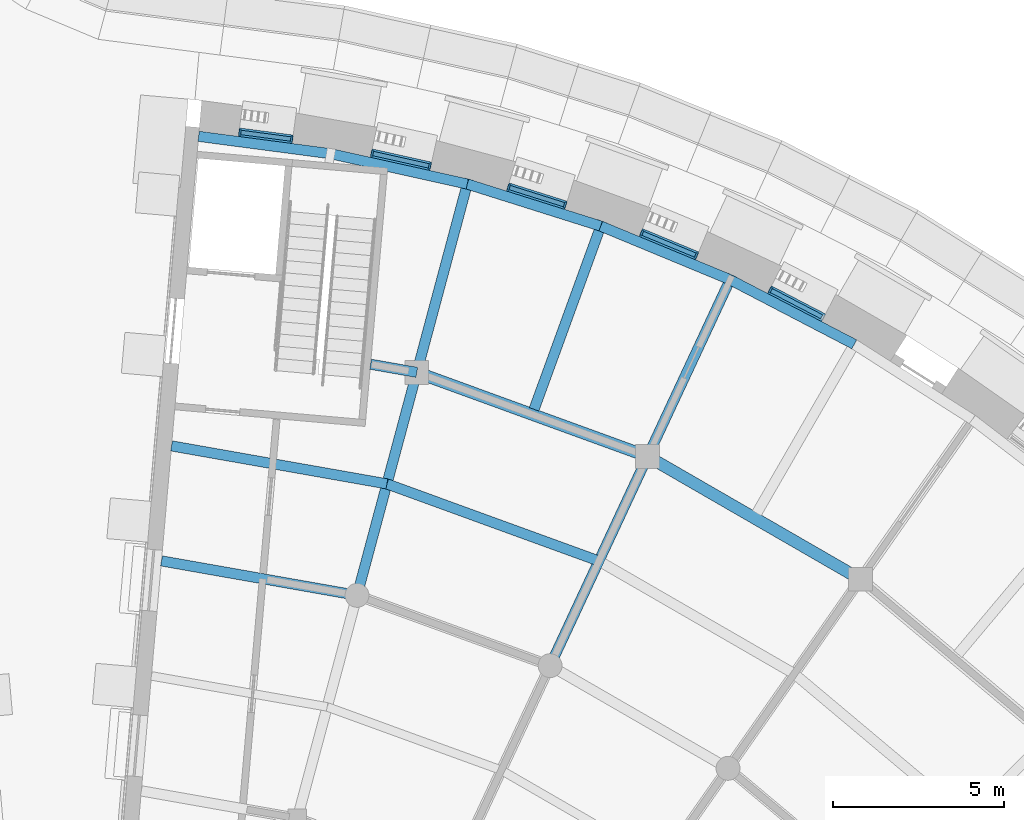
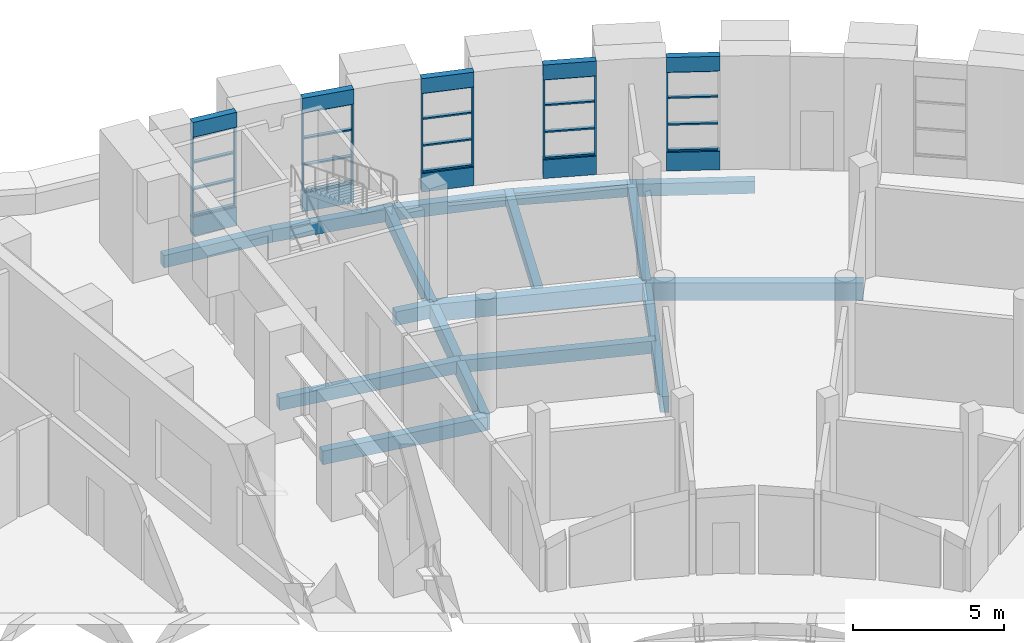
# One storey, part 27 of 85: 29 members, 26 beams, 5 elements without a shape of their own.
"""IFC4 building model written with IfcOpenShell, lengths in metres."""

from ifc_helpers import new_model, si_unit, direction, frame, origin, origin_2d, place, context, subcontext, project, spatial, rectangle, extrude, material, layer, layer_set, material_profile, profile_set, type_object, element, aggregate, save


model = new_model("IFC4")

# Units and contexts
model_context = context("Model", 3, precision=1e-05, world=origin(), true_north=direction((0.0, 1.0)))
body_context = subcontext(model_context, "Body", "Model", "MODEL_VIEW")
ifc_project = project(units=[si_unit("LENGTHUNIT", "METRE"), si_unit("AREAUNIT", "SQUARE_METRE"), si_unit("VOLUMEUNIT", "CUBIC_METRE"), si_unit("PLANEANGLEUNIT", "RADIAN"), si_unit("MASSUNIT", "GRAM", prefix="KILO")], contexts=[model_context])

# Site, building, storey
site_placement = place(None, origin())
site = spatial("IfcSite", under=ifc_project, at=site_placement, CompositionType="ELEMENT")
building_placement = place(site_placement, origin())
building = spatial("IfcBuilding", under=site, at=building_placement, Name="Volute Hill Aquarium", CompositionType="ELEMENT")
storey_placement = place(building_placement, origin())
storey = spatial("IfcBuildingStorey", under=building, at=storey_placement, Name="L01", CompositionType="ELEMENT", Elevation=0.0)

# Beams
ifc_material_1 = material(Name="Concrete C35/45", Category="concrete")
ifc_material_profile_1 = material_profile(ifc_material_1, rectangle(XDim=0.300048828125, YDim=0.550048828125, at=origin_2d()), Name="RC beam 300x550")
ifc_profile_set_1 = profile_set([ifc_material_profile_1], Name="Concrete C35/45")
beam_type_1 = type_object("IfcBeamType", Name="Beam 300x550 C35/45", PredefinedType="BEAM", material=ifc_profile_set_1)
for number, where, z_axis, x_axis, name in (
    (1, (17.448974609375, 37.419189453125, -0.56494140625), (0.422609588136, 0.906311831554, 0.0), (-0.906311831554, 0.422609588136, 0.0), "bm/S5/L01/rad3.12"),
    (2, (10.68603515625, 39.880615234375, -0.56494140625), (0.258815877772, 0.965926674967, 0.0), (-0.965926674967, 0.258815877772, 0.0), "bm/S5/L01/rad4.16"),
):
    element("IfcBeam", number, at=place(storey_placement, frame(where, z_axis=z_axis, x_axis=x_axis)), inside=storey, type_object=beam_type_1, Name=name, PredefinedType="BEAM", context=body_context, shape_type="SweptSolid", body=[
        extrude(rectangle(XDim=0.300048828125, YDim=0.550048828125, at=origin_2d()), origin(), (0.0, 0.0, 1.0), 5.862548828125),
    ])
beam_1_placement = place(storey_placement, frame((8.935791015625, 33.3486328125, -0.56494140625), z_axis=(-0.984812696983, 0.173620136684, 0.0), x_axis=(-0.173620136684, -0.984812696983, 0.0)))
element("IfcBeam", 3, at=beam_1_placement, inside=storey, type_object=beam_type_1, Name="bm/S5/L01/ring2.26", PredefinedType="BEAM", context=body_context, shape_type="SweptSolid", body=[
    extrude(rectangle(XDim=0.300048828125, YDim=0.550048828125, at=origin_2d()), origin(), (0.0, 0.0, 1.0), 5.8173828125),
])
beam_2_placement = place(storey_placement, frame((10.68603515625, 39.880615234375, -0.56494140625), z_axis=(-0.984805002764, 0.173663774378, 0.0), x_axis=(-0.173663774378, -0.984805002764, 0.0)))
element("IfcBeam", 4, at=beam_2_placement, inside=storey, type_object=beam_type_1, Name="bm/S5/L01/ring3.31", PredefinedType="BEAM", context=body_context, shape_type="SweptSolid", body=[
    extrude(rectangle(XDim=0.300048828125, YDim=0.550048828125, at=origin_2d()), origin(), (0.0, 0.0, 1.0), 1.375),
])
ifc_material_2 = material(Name="Concrete C35/45", Category="concrete")
ifc_material_profile_2 = material_profile(ifc_material_2, rectangle(XDim=0.300048828125, YDim=0.64990234375, at=origin_2d()), Name="RC beam 300x650")
ifc_profile_set_2 = profile_set([ifc_material_profile_2], Name="Concrete C35/45")
beam_type_2 = type_object("IfcBeamType", Name="Beam 300x650 C35/45", PredefinedType="BEAM", material=ifc_profile_set_2)
beam_3_placement = place(storey_placement, frame((14.5908203125, 31.290283203125, -0.614990234375), z_axis=(0.422642356692, 0.906296550986, 0.0), x_axis=(-0.906296550986, 0.422642356692, 0.0)))
element("IfcBeam", 5, at=beam_3_placement, inside=storey, type_object=beam_type_2, Name="bm/S5/L01/rad3.11", PredefinedType="BEAM", context=body_context, shape_type="SweptSolid", body=[
    extrude(rectangle(XDim=0.300048828125, YDim=0.64990234375, at=origin_2d()), origin(), (0.0, 0.0, 1.0), 6.7626953125),
])
beam_4_placement = place(storey_placement, frame((8.935791015625, 33.3486328125, -0.614990234375), z_axis=(0.258819697111, 0.965925651584, 0.0), x_axis=(-0.965925651584, 0.258819697111, 0.0)))
element("IfcBeam", 6, at=beam_4_placement, inside=storey, type_object=beam_type_2, Name="bm/S5/L01/rad4.15", PredefinedType="BEAM", context=body_context, shape_type="SweptSolid", body=[
    extrude(rectangle(XDim=0.300048828125, YDim=0.64990234375, at=origin_2d()), origin(), (0.0, 0.0, 1.0), 6.762451171875),
])
ifc_material_3 = material(Name="Concrete C35/45", Category="concrete")
ifc_material_profile_3 = material_profile(ifc_material_3, rectangle(XDim=0.35009765625, YDim=0.699951171875, at=origin_2d()), Name="RC beam 350x700")
ifc_profile_set_3 = profile_set([ifc_material_profile_3], Name="Concrete C35/45")
beam_type_3 = type_object("IfcBeamType", Name="Beam 350x700 C35/45", PredefinedType="BEAM", material=ifc_profile_set_3)
beam_5_placement = place(storey_placement, frame((23.681396484375, 33.82080078125, -0.639892578125), z_axis=(-0.866019493664, 0.50001023649, 0.0), x_axis=(-0.50001023649, -0.866019493664, 0.0)))
element("IfcBeam", 7, at=beam_5_placement, inside=storey, type_object=beam_type_3, Name="bm/S5/L01/ring3.29", PredefinedType="BEAM", context=body_context, shape_type="SweptSolid", body=[
    extrude(rectangle(XDim=0.35009765625, YDim=0.699951171875, at=origin_2d()), origin(), (0.0, 0.0, 1.0), 7.196533203125),
])
beam_6_placement = place(storey_placement, frame((17.448974609375, 37.419189453125, -0.639892578125), z_axis=(-0.939696321717, 0.34200997493, 0.0), x_axis=(-0.34200997493, -0.939696321717, 0.0)))
element("IfcBeam", 8, at=beam_6_placement, inside=storey, type_object=beam_type_3, Name="bm/S5/L01/ring3.30", PredefinedType="BEAM", context=body_context, shape_type="SweptSolid", body=[
    extrude(rectangle(XDim=0.35009765625, YDim=0.699951171875, at=origin_2d()), origin(), (0.0, 0.0, 1.0), 7.197021484375),
])

# Curtain wall, member
ifc_material_4 = material(Name="Aluminium", Category="aluminium")
ifc_layer_1 = layer(ifc_material_4, 0.25)
ifc_layer_set_1 = layer_set([ifc_layer_1], Name="Curtain wall niche S5 module 1786")
curtain_wall_type_1 = type_object("IfcCurtainWallType", Name="Curtain wall niche S5 module 1786", PredefinedType="NOTDEFINED", material=ifc_layer_set_1)
curtain_wall_1_placement = place(storey_placement, origin())
curtain_wall_1 = element("IfcCurtainWall", 9, at=curtain_wall_1_placement, inside=storey, type_object=curtain_wall_type_1, Name="Curtain wall CW S5 L01 6", PredefinedType="NOTDEFINED")
ifc_material_5 = material(Name="Aluminium", Category="aluminium")
ifc_material_profile_4 = material_profile(ifc_material_5, rectangle(XDim=0.159912109375, YDim=0.06005859375, at=origin_2d()), Name="Curtain wall mullion S5 60x160")
ifc_profile_set_4 = profile_set([ifc_material_profile_4], Name="Aluminium")
member_type_1 = type_object("IfcMemberType", Name="Curtain wall mullion S5 60x160", PredefinedType="MULLION", material=ifc_profile_set_4)
member_1_placement = place(storey_placement, frame((21.04296875, 42.291748046875, 0.75), z_axis=(0.0, 0.0, 1.0), x_axis=(-0.461755077763, -0.887007467928, 0.0)))
member_1 = element("IfcMember", 10, at=member_1_placement, type_object=member_type_1, Name="CW mullion 2", PredefinedType="MULLION", context=body_context, shape_type="SweptSolid", body=[
    extrude(rectangle(XDim=0.159912109375, YDim=0.06005859375, at=origin_2d()), origin(), (0.0, 0.0, 1.0), 3.25),
])

# Curtain wall, members
curtain_wall_2_placement = place(storey_placement, origin())
curtain_wall_2 = element("IfcCurtainWall", 11, at=curtain_wall_2_placement, inside=storey, type_object=curtain_wall_type_1, Name="Curtain wall CW S5 L01 7", PredefinedType="NOTDEFINED")
member_2_placement = place(storey_placement, frame((18.87109375, 43.304443359375, 0.75), z_axis=(0.0, 0.0, 1.0), x_axis=(-0.382686313983, -0.923878338901, 0.0)))
member_2 = element("IfcMember", 12, at=member_2_placement, type_object=member_type_1, Name="CW mullion 1", PredefinedType="MULLION", context=body_context, shape_type="SweptSolid", body=[
    extrude(rectangle(XDim=0.159912109375, YDim=0.06005859375, at=origin_2d()), origin(), (0.0, 0.0, 1.0), 3.25),
])
member_3_placement = place(storey_placement, frame((17.27685546875, 43.96484375, 0.75), z_axis=(0.0, 0.0, 1.0), x_axis=(-0.382686313983, -0.923878338901, 0.0)))
member_3 = element("IfcMember", 13, at=member_3_placement, type_object=member_type_1, Name="CW mullion 2", PredefinedType="MULLION", context=body_context, shape_type="SweptSolid", body=[
    extrude(rectangle(XDim=0.159912109375, YDim=0.06005859375, at=origin_2d()), origin(), (0.0, 0.0, 1.0), 3.25),
])

curtain_wall_3_placement = place(storey_placement, origin())
curtain_wall_3 = element("IfcCurtainWall", 14, at=curtain_wall_3_placement, inside=storey, type_object=curtain_wall_type_1, Name="Curtain wall CW S5 L01 8", PredefinedType="NOTDEFINED")
member_4_placement = place(storey_placement, frame((15.025146484375, 44.784423828125, 0.75), z_axis=(0.0, 0.0, 1.0), x_axis=(-0.300703569139, -0.953717653977, 0.0)))
member_4 = element("IfcMember", 15, at=member_4_placement, type_object=member_type_1, Name="CW mullion 1", PredefinedType="MULLION", context=body_context, shape_type="SweptSolid", body=[
    extrude(rectangle(XDim=0.159912109375, YDim=0.06005859375, at=origin_2d()), origin(), (0.0, 0.0, 1.0), 3.25),
])
member_5_placement = place(storey_placement, frame((13.37939453125, 45.30322265625, 0.75), z_axis=(0.0, 0.0, 1.0), x_axis=(-0.300703569139, -0.953717653977, 0.0)))
member_5 = element("IfcMember", 16, at=member_5_placement, type_object=member_type_1, Name="CW mullion 2", PredefinedType="MULLION", context=body_context, shape_type="SweptSolid", body=[
    extrude(rectangle(XDim=0.159912109375, YDim=0.06005859375, at=origin_2d()), origin(), (0.0, 0.0, 1.0), 3.25),
])

curtain_wall_4_placement = place(storey_placement, origin())
curtain_wall_4 = element("IfcCurtainWall", 17, at=curtain_wall_4_placement, inside=storey, type_object=curtain_wall_type_1, Name="Curtain wall CW S5 L01 9", PredefinedType="NOTDEFINED")
member_6_placement = place(storey_placement, frame((11.064697265625, 45.92333984375, 0.75), z_axis=(0.0, 0.0, 1.0), x_axis=(-0.216422253758, -0.976299855617, 0.0)))
member_6 = element("IfcMember", 18, at=member_6_placement, type_object=member_type_1, Name="CW mullion 1", PredefinedType="MULLION", context=body_context, shape_type="SweptSolid", body=[
    extrude(rectangle(XDim=0.159912109375, YDim=0.06005859375, at=origin_2d()), origin(), (0.0, 0.0, 1.0), 3.25),
])
member_7_placement = place(storey_placement, frame((9.3798828125, 46.296875, 0.75), z_axis=(0.0, 0.0, 1.0), x_axis=(-0.216422253758, -0.976299855617, 0.0)))
member_7 = element("IfcMember", 19, at=member_7_placement, type_object=member_type_1, Name="CW mullion 2", PredefinedType="MULLION", context=body_context, shape_type="SweptSolid", body=[
    extrude(rectangle(XDim=0.159912109375, YDim=0.06005859375, at=origin_2d()), origin(), (0.0, 0.0, 1.0), 3.25),
])

ifc_material_6 = material(Name="Aluminium", Category="aluminium")
ifc_layer_2 = layer(ifc_material_6, 0.25)
ifc_layer_set_2 = layer_set([ifc_layer_2], Name="Curtain wall niche S5 module 1585")
curtain_wall_type_2 = type_object("IfcCurtainWallType", Name="Curtain wall niche S5 module 1585", PredefinedType="NOTDEFINED", material=ifc_layer_set_2)
curtain_wall_5_placement = place(storey_placement, origin())
curtain_wall_5 = element("IfcCurtainWall", 20, at=curtain_wall_5_placement, inside=storey, type_object=curtain_wall_type_2, Name="Curtain wall CW S5 L01 10", PredefinedType="NOTDEFINED")
member_8_placement = place(storey_placement, frame((7.020263671875, 46.712890625, 0.75), z_axis=(0.0, 0.0, 1.0), x_axis=(-0.130539029372, -0.991443171246, 0.0)))
member_8 = element("IfcMember", 21, at=member_8_placement, type_object=member_type_1, Name="CW mullion 1", PredefinedType="MULLION", context=body_context, shape_type="SweptSolid", body=[
    extrude(rectangle(XDim=0.159912109375, YDim=0.06005859375, at=origin_2d()), origin(), (0.0, 0.0, 1.0), 3.25),
])
member_9_placement = place(storey_placement, frame((5.5078125, 46.912109375, 0.75), z_axis=(0.0, 0.0, 1.0), x_axis=(-0.130539029372, -0.991443171246, 0.0)))
member_9 = element("IfcMember", 22, at=member_9_placement, type_object=member_type_1, Name="CW mullion 2", PredefinedType="MULLION", context=body_context, shape_type="SweptSolid", body=[
    extrude(rectangle(XDim=0.159912109375, YDim=0.06005859375, at=origin_2d()), origin(), (0.0, 0.0, 1.0), 3.25),
])

# Member
ifc_material_7 = material(Name="Aluminium", Category="aluminium")
ifc_material_profile_5 = material_profile(ifc_material_7, rectangle(XDim=0.1298828125, YDim=0.06005859375, at=origin_2d()), Name="Curtain wall transom S5 60x130")
ifc_profile_set_5 = profile_set([ifc_material_profile_5], Name="Aluminium")
member_type_2 = type_object("IfcMemberType", Name="Curtain wall transom S5 60x130", PredefinedType="USERDEFINED", material=ifc_profile_set_5)
member_10_placement = place(storey_placement, frame((22.546875, 41.5087890625, 0.780029296875), z_axis=(-0.887007904622, 0.461754238896, 0.0), x_axis=(-0.461754238896, -0.887007904622, 0.0)))
member_10 = element("IfcMember", 23, at=member_10_placement, type_object=member_type_2, Name="CW transom 1.1", ObjectType="TRANSOM", PredefinedType="USERDEFINED", context=body_context, shape_type="SweptSolid", body=[
    extrude(rectangle(XDim=0.1298828125, YDim=0.06005859375, at=origin_2d()), origin(), (0.0, 0.0, 1.0), 1.66552734375),
])

member_11_placement = place(storey_placement, frame((22.546875, 41.5087890625, 1.833251953125), z_axis=(-0.887007904622, 0.461754238896, 0.0), x_axis=(-0.461754238896, -0.887007904622, 0.0)))
member_11 = element("IfcMember", 24, at=member_11_placement, type_object=member_type_2, Name="CW transom 1.2", ObjectType="TRANSOM", PredefinedType="USERDEFINED", context=body_context, shape_type="SweptSolid", body=[
    extrude(rectangle(XDim=0.1298828125, YDim=0.06005859375, at=origin_2d()), origin(), (0.0, 0.0, 1.0), 1.66552734375),
])

member_12_placement = place(storey_placement, frame((22.546875, 41.5087890625, 2.916748046875), z_axis=(-0.887007904622, 0.461754238896, 0.0), x_axis=(-0.461754238896, -0.887007904622, 0.0)))
member_12 = element("IfcMember", 25, at=member_12_placement, type_object=member_type_2, Name="CW transom 1.3", ObjectType="TRANSOM", PredefinedType="USERDEFINED", context=body_context, shape_type="SweptSolid", body=[
    extrude(rectangle(XDim=0.1298828125, YDim=0.06005859375, at=origin_2d()), origin(), (0.0, 0.0, 1.0), 1.66552734375),
])

member_13_placement = place(storey_placement, frame((22.546875, 41.5087890625, 3.969970703125), z_axis=(-0.887007904622, 0.461754238896, 0.0), x_axis=(-0.461754238896, -0.887007904622, 0.0)))
member_13 = element("IfcMember", 26, at=member_13_placement, type_object=member_type_2, Name="CW transom 1.4", ObjectType="TRANSOM", PredefinedType="USERDEFINED", context=body_context, shape_type="SweptSolid", body=[
    extrude(rectangle(XDim=0.1298828125, YDim=0.06005859375, at=origin_2d()), origin(), (0.0, 0.0, 1.0), 1.66552734375),
])

aggregate(curtain_wall_1, [member_1, member_10, member_11, member_12, member_13])

member_14_placement = place(storey_placement, frame((18.843505859375, 43.31591796875, 0.780029296875), z_axis=(-0.923868550107, 0.382709945158, 0.0), x_axis=(-0.382709945158, -0.923868550107, 0.0)))
member_14 = element("IfcMember", 27, at=member_14_placement, type_object=member_type_2, Name="CW transom 1.1", ObjectType="TRANSOM", PredefinedType="USERDEFINED", context=body_context, shape_type="SweptSolid", body=[
    extrude(rectangle(XDim=0.1298828125, YDim=0.06005859375, at=origin_2d()), origin(), (0.0, 0.0, 1.0), 1.66552734375),
])

member_15_placement = place(storey_placement, frame((18.843505859375, 43.31591796875, 1.833251953125), z_axis=(-0.923868550107, 0.382709945158, 0.0), x_axis=(-0.382709945158, -0.923868550107, 0.0)))
member_15 = element("IfcMember", 28, at=member_15_placement, type_object=member_type_2, Name="CW transom 1.2", ObjectType="TRANSOM", PredefinedType="USERDEFINED", context=body_context, shape_type="SweptSolid", body=[
    extrude(rectangle(XDim=0.1298828125, YDim=0.06005859375, at=origin_2d()), origin(), (0.0, 0.0, 1.0), 1.66552734375),
])

member_16_placement = place(storey_placement, frame((18.843505859375, 43.31591796875, 2.916748046875), z_axis=(-0.923868550107, 0.382709945158, 0.0), x_axis=(-0.382709945158, -0.923868550107, 0.0)))
member_16 = element("IfcMember", 29, at=member_16_placement, type_object=member_type_2, Name="CW transom 1.3", ObjectType="TRANSOM", PredefinedType="USERDEFINED", context=body_context, shape_type="SweptSolid", body=[
    extrude(rectangle(XDim=0.1298828125, YDim=0.06005859375, at=origin_2d()), origin(), (0.0, 0.0, 1.0), 1.66552734375),
])

member_17_placement = place(storey_placement, frame((18.843505859375, 43.31591796875, 3.969970703125), z_axis=(-0.923868550107, 0.382709945158, 0.0), x_axis=(-0.382709945158, -0.923868550107, 0.0)))
member_17 = element("IfcMember", 30, at=member_17_placement, type_object=member_type_2, Name="CW transom 1.4", ObjectType="TRANSOM", PredefinedType="USERDEFINED", context=body_context, shape_type="SweptSolid", body=[
    extrude(rectangle(XDim=0.1298828125, YDim=0.06005859375, at=origin_2d()), origin(), (0.0, 0.0, 1.0), 1.66552734375),
])

aggregate(curtain_wall_2, [member_2, member_3, member_14, member_15, member_16, member_17])

member_18_placement = place(storey_placement, frame((14.99658203125, 44.79345703125, 0.780029296875), z_axis=(-0.953744236838, 0.30061924539, 0.0), x_axis=(-0.30061924539, -0.953744236838, 0.0)))
member_18 = element("IfcMember", 31, at=member_18_placement, type_object=member_type_2, Name="CW transom 1.1", ObjectType="TRANSOM", PredefinedType="USERDEFINED", context=body_context, shape_type="SweptSolid", body=[
    extrude(rectangle(XDim=0.1298828125, YDim=0.06005859375, at=origin_2d()), origin(), (0.0, 0.0, 1.0), 1.665771484375),
])

member_19_placement = place(storey_placement, frame((14.99658203125, 44.79345703125, 1.833251953125), z_axis=(-0.953744236838, 0.30061924539, 0.0), x_axis=(-0.30061924539, -0.953744236838, 0.0)))
member_19 = element("IfcMember", 32, at=member_19_placement, type_object=member_type_2, Name="CW transom 1.2", ObjectType="TRANSOM", PredefinedType="USERDEFINED", context=body_context, shape_type="SweptSolid", body=[
    extrude(rectangle(XDim=0.1298828125, YDim=0.06005859375, at=origin_2d()), origin(), (0.0, 0.0, 1.0), 1.665771484375),
])

member_20_placement = place(storey_placement, frame((14.99658203125, 44.79345703125, 2.916748046875), z_axis=(-0.953744236838, 0.30061924539, 0.0), x_axis=(-0.30061924539, -0.953744236838, 0.0)))
member_20 = element("IfcMember", 33, at=member_20_placement, type_object=member_type_2, Name="CW transom 1.3", ObjectType="TRANSOM", PredefinedType="USERDEFINED", context=body_context, shape_type="SweptSolid", body=[
    extrude(rectangle(XDim=0.1298828125, YDim=0.06005859375, at=origin_2d()), origin(), (0.0, 0.0, 1.0), 1.665771484375),
])

member_21_placement = place(storey_placement, frame((14.99658203125, 44.79345703125, 3.969970703125), z_axis=(-0.953744236838, 0.30061924539, 0.0), x_axis=(-0.30061924539, -0.953744236838, 0.0)))
member_21 = element("IfcMember", 34, at=member_21_placement, type_object=member_type_2, Name="CW transom 1.4", ObjectType="TRANSOM", PredefinedType="USERDEFINED", context=body_context, shape_type="SweptSolid", body=[
    extrude(rectangle(XDim=0.1298828125, YDim=0.06005859375, at=origin_2d()), origin(), (0.0, 0.0, 1.0), 1.665771484375),
])

aggregate(curtain_wall_3, [member_4, member_5, member_18, member_19, member_20, member_21])

member_22_placement = place(storey_placement, frame((11.035400390625, 45.929931640625, 0.780029296875), z_axis=(-0.976317934906, 0.216340680366, 0.0), x_axis=(-0.216340680366, -0.976317934906, 0.0)))
member_22 = element("IfcMember", 35, at=member_22_placement, type_object=member_type_2, Name="CW transom 1.1", ObjectType="TRANSOM", PredefinedType="USERDEFINED", context=body_context, shape_type="SweptSolid", body=[
    extrude(rectangle(XDim=0.1298828125, YDim=0.06005859375, at=origin_2d()), origin(), (0.0, 0.0, 1.0), 1.665771484375),
])

member_23_placement = place(storey_placement, frame((11.035400390625, 45.929931640625, 1.833251953125), z_axis=(-0.976317934906, 0.216340680366, 0.0), x_axis=(-0.216340680366, -0.976317934906, 0.0)))
member_23 = element("IfcMember", 36, at=member_23_placement, type_object=member_type_2, Name="CW transom 1.2", ObjectType="TRANSOM", PredefinedType="USERDEFINED", context=body_context, shape_type="SweptSolid", body=[
    extrude(rectangle(XDim=0.1298828125, YDim=0.06005859375, at=origin_2d()), origin(), (0.0, 0.0, 1.0), 1.665771484375),
])

member_24_placement = place(storey_placement, frame((11.035400390625, 45.929931640625, 2.916748046875), z_axis=(-0.976317934906, 0.216340680366, 0.0), x_axis=(-0.216340680366, -0.976317934906, 0.0)))
member_24 = element("IfcMember", 37, at=member_24_placement, type_object=member_type_2, Name="CW transom 1.3", ObjectType="TRANSOM", PredefinedType="USERDEFINED", context=body_context, shape_type="SweptSolid", body=[
    extrude(rectangle(XDim=0.1298828125, YDim=0.06005859375, at=origin_2d()), origin(), (0.0, 0.0, 1.0), 1.665771484375),
])

member_25_placement = place(storey_placement, frame((11.035400390625, 45.929931640625, 3.969970703125), z_axis=(-0.976317934906, 0.216340680366, 0.0), x_axis=(-0.216340680366, -0.976317934906, 0.0)))
member_25 = element("IfcMember", 38, at=member_25_placement, type_object=member_type_2, Name="CW transom 1.4", ObjectType="TRANSOM", PredefinedType="USERDEFINED", context=body_context, shape_type="SweptSolid", body=[
    extrude(rectangle(XDim=0.1298828125, YDim=0.06005859375, at=origin_2d()), origin(), (0.0, 0.0, 1.0), 1.665771484375),
])

aggregate(curtain_wall_4, [member_6, member_7, member_22, member_23, member_24, member_25])

member_26_placement = place(storey_placement, frame((6.990478515625, 46.716796875, 0.780029296875), z_axis=(-0.99143330185, 0.130613965493, 0.0), x_axis=(-0.130613965493, -0.99143330185, 0.0)))
member_26 = element("IfcMember", 39, at=member_26_placement, type_object=member_type_2, Name="CW transom 1.1", ObjectType="TRANSOM", PredefinedType="USERDEFINED", context=body_context, shape_type="SweptSolid", body=[
    extrude(rectangle(XDim=0.1298828125, YDim=0.06005859375, at=origin_2d()), origin(), (0.0, 0.0, 1.0), 1.46533203125),
])

member_27_placement = place(storey_placement, frame((6.990478515625, 46.716796875, 1.833251953125), z_axis=(-0.99143330185, 0.130613965493, 0.0), x_axis=(-0.130613965493, -0.99143330185, 0.0)))
member_27 = element("IfcMember", 40, at=member_27_placement, type_object=member_type_2, Name="CW transom 1.2", ObjectType="TRANSOM", PredefinedType="USERDEFINED", context=body_context, shape_type="SweptSolid", body=[
    extrude(rectangle(XDim=0.1298828125, YDim=0.06005859375, at=origin_2d()), origin(), (0.0, 0.0, 1.0), 1.46533203125),
])

member_28_placement = place(storey_placement, frame((6.990478515625, 46.716796875, 2.916748046875), z_axis=(-0.99143330185, 0.130613965493, 0.0), x_axis=(-0.130613965493, -0.99143330185, 0.0)))
member_28 = element("IfcMember", 41, at=member_28_placement, type_object=member_type_2, Name="CW transom 1.3", ObjectType="TRANSOM", PredefinedType="USERDEFINED", context=body_context, shape_type="SweptSolid", body=[
    extrude(rectangle(XDim=0.1298828125, YDim=0.06005859375, at=origin_2d()), origin(), (0.0, 0.0, 1.0), 1.46533203125),
])

member_29_placement = place(storey_placement, frame((6.990478515625, 46.716796875, 3.969970703125), z_axis=(-0.99143330185, 0.130613965493, 0.0), x_axis=(-0.130613965493, -0.99143330185, 0.0)))
member_29 = element("IfcMember", 42, at=member_29_placement, type_object=member_type_2, Name="CW transom 1.4", ObjectType="TRANSOM", PredefinedType="USERDEFINED", context=body_context, shape_type="SweptSolid", body=[
    extrude(rectangle(XDim=0.1298828125, YDim=0.06005859375, at=origin_2d()), origin(), (0.0, 0.0, 1.0), 1.46533203125),
])

aggregate(curtain_wall_5, [member_8, member_9, member_26, member_27, member_28, member_29])

# Beams
ifc_material_8 = material(Name="Concrete C35/45", Category="concrete")
ifc_material_profile_6 = material_profile(ifc_material_8, rectangle(XDim=0.300048828125, YDim=0.5, at=origin_2d()), Name="RC edge beam 300x500")
ifc_profile_set_6 = profile_set([ifc_material_profile_6], Name="Concrete C35/45")
beam_type_4 = type_object("IfcBeamType", Name="Edge beam 300x500 C35/45", PredefinedType="BEAM", material=ifc_profile_set_6)
for number, where, z_axis, x_axis, name in (
    (43, (23.5, 40.703125, -0.5400390625), (-0.887032472898, 0.461707041341, 0.0), (-0.461707041341, -0.887032472898, 0.0), "bm/S5/L01/edgeO.47"),
    (44, (19.863037109375, 42.59619140625, -0.5400390625), (-0.923878219582, 0.38268660204, 0.0), (-0.38268660204, -0.923878219582, 0.0), "bm/S5/L01/edgeO.48"),
):
    element("IfcBeam", number, at=place(storey_placement, frame(where, z_axis=z_axis, x_axis=x_axis)), inside=storey, type_object=beam_type_4, Name=name, PredefinedType="BEAM", context=body_context, shape_type="SweptSolid", body=[
        extrude(rectangle(XDim=0.300048828125, YDim=0.5, at=origin_2d()), origin(), (0.0, 0.0, 1.0), 4.10009765625),
    ])
for number, where, z_axis, x_axis, name in (
    (45, (16.074951171875, 44.165283203125, -0.5400390625), (-0.953702276001, 0.300752337896, 0.0), (-0.300752337896, -0.953702276001, 0.0), "bm/S5/L01/edgeO.49"),
    (46, (12.16455078125, 45.3984375, -0.5400390625), (-0.97629760978, 0.216432384677, 0.0), (-0.216432384677, -0.97629760978, 0.0), "bm/S5/L01/edgeO.50"),
):
    element("IfcBeam", number, at=place(storey_placement, frame(where, z_axis=z_axis, x_axis=x_axis)), inside=storey, type_object=beam_type_4, Name=name, PredefinedType="BEAM", context=body_context, shape_type="SweptSolid", body=[
        extrude(rectangle(XDim=0.300048828125, YDim=0.5, at=origin_2d()), origin(), (0.0, 0.0, 1.0), 4.100341796875),
    ])
beam_7_placement = place(storey_placement, frame((8.161376953125, 46.285888671875, -0.5400390625), z_axis=(-0.99144470424, 0.130527385764, 0.0), x_axis=(-0.130527385764, -0.99144470424, 0.0)))
element("IfcBeam", 47, at=beam_7_placement, inside=storey, type_object=beam_type_4, Name="bm/S5/L01/edgeO.51", PredefinedType="BEAM", context=body_context, shape_type="SweptSolid", body=[
    extrude(rectangle(XDim=0.300048828125, YDim=0.5, at=origin_2d()), origin(), (0.0, 0.0, 1.0), 3.89990234375),
])
ifc_material_9 = material(Name="Concrete C35/45", Category="concrete")
ifc_material_profile_7 = material_profile(ifc_material_9, rectangle(XDim=0.300048828125, YDim=0.449951171875, at=origin_2d()), Name="RC joist 300x450")
ifc_profile_set_7 = profile_set([ifc_material_profile_7], Name="Concrete C35/45")
beam_type_5 = type_object("IfcBeamType", Name="Joist 300x450 C35/45", PredefinedType="BEAM", material=ifc_profile_set_7)
beam_8_placement = place(storey_placement, frame((14.12109375, 38.797607421875, -0.514892578125), z_axis=(0.342033956796, 0.939687592979, 0.0), x_axis=(-0.939687592979, 0.342033956796, 0.0)))
element("IfcBeam", 48, at=beam_8_placement, inside=storey, type_object=beam_type_5, Name="bm/S5/L01/rjst4", PredefinedType="BEAM", context=body_context, shape_type="SweptSolid", body=[
    extrude(rectangle(XDim=0.300048828125, YDim=0.449951171875, at=origin_2d()), origin(), (0.0, 0.0, 1.0), 5.8623046875),
])
ifc_material_10 = material(Name="Concrete C35/45", Category="concrete")
ifc_material_profile_8 = material_profile(ifc_material_10, rectangle(XDim=0.300048828125, YDim=0.5, at=origin_2d()), Name="RC joist 300x500")
ifc_profile_set_8 = profile_set([ifc_material_profile_8], Name="Concrete C35/45")
beam_type_6 = type_object("IfcBeamType", Name="Joist 300x500 C35/45", PredefinedType="BEAM", material=ifc_profile_set_8)
beam_9_placement = place(storey_placement, frame((16.02001953125, 34.354736328125, -0.5400390625), z_axis=(-0.939702773043, 0.34199224894, 0.0), x_axis=(-0.34199224894, -0.939702773043, 0.0)))
element("IfcBeam", 49, at=beam_9_placement, inside=storey, type_object=beam_type_6, Name="bm/S5/L01/jst14", PredefinedType="BEAM", context=body_context, shape_type="SweptSolid", body=[
    extrude(rectangle(XDim=0.300048828125, YDim=0.5, at=origin_2d()), origin(), (0.0, 0.0, 1.0), 6.607666015625),
])
beam_10_placement = place(storey_placement, frame((9.810791015625, 36.614501953125, -0.5400390625), z_axis=(-0.984806568003, 0.173654898053, 0.0), x_axis=(-0.173654898053, -0.984806568003, 0.0)))
element("IfcBeam", 50, at=beam_10_placement, inside=storey, type_object=beam_type_6, Name="bm/S5/L01/jst15", PredefinedType="BEAM", context=body_context, shape_type="SweptSolid", body=[
    extrude(rectangle(XDim=0.300048828125, YDim=0.5, at=origin_2d()), origin(), (0.0, 0.0, 1.0), 6.40673828125),
])
ifc_material_11 = material(Name="Concrete C35/45", Category="concrete")
ifc_material_profile_9 = material_profile(ifc_material_11, rectangle(XDim=0.25, YDim=0.60009765625, at=origin_2d()), Name="RC beam 250x600")
ifc_profile_set_9 = profile_set([ifc_material_profile_9], Name="Concrete C35/45")
beam_type_7 = type_object("IfcBeamType", Name="Niche head beam RC 250x600 C35/45", PredefinedType="BEAM", material=ifc_profile_set_9)
beam_11_placement = place(storey_placement, frame((22.60009765625, 41.48095703125, 4.300048828125), z_axis=(-0.887006266415, 0.4617573858, 0.0), x_axis=(-0.4617573858, -0.887006266415, 0.0)))
element("IfcBeam", 51, at=beam_11_placement, inside=storey, type_object=beam_type_7, Name="Niche head beam OWB S5 L01 6", PredefinedType="BEAM", context=body_context, shape_type="SweptSolid", body=[
    extrude(rectangle(XDim=0.25, YDim=0.60009765625, at=origin_2d()), origin(), (0.0, 0.0, 1.0), 1.785400390625),
])
beam_12_placement = place(storey_placement, frame((18.89892578125, 43.29296875, 4.300048828125), z_axis=(-0.923891869651, 0.382653646516, 0.0), x_axis=(-0.382653646516, -0.923891869651, 0.0)))
element("IfcBeam", 52, at=beam_12_placement, inside=storey, type_object=beam_type_7, Name="Niche head beam OWB S5 L01 7", PredefinedType="BEAM", context=body_context, shape_type="SweptSolid", body=[
    extrude(rectangle(XDim=0.25, YDim=0.60009765625, at=origin_2d()), origin(), (0.0, 0.0, 1.0), 1.785888671875),
])
for number, where, z_axis, x_axis, name in (
    (53, (15.0537109375, 44.775390625, 4.300048828125), (-0.95372514816, 0.300679799399, 0.0), (-0.300679799399, -0.95372514816, 0.0), "Niche head beam OWB S5 L01 8"),
    (54, (11.093994140625, 45.9169921875, 4.300048828125), (-0.97629311454, 0.216452661109, 0.0), (-0.216452661109, -0.97629311454, 0.0), "Niche head beam OWB S5 L01 9"),
):
    element("IfcBeam", number, at=place(storey_placement, frame(where, z_axis=z_axis, x_axis=x_axis)), inside=storey, type_object=beam_type_7, Name=name, PredefinedType="BEAM", context=body_context, shape_type="SweptSolid", body=[
        extrude(rectangle(XDim=0.25, YDim=0.60009765625, at=origin_2d()), origin(), (0.0, 0.0, 1.0), 1.785400390625),
    ])
beam_13_placement = place(storey_placement, frame((7.0498046875, 46.708984375, 4.300048828125), z_axis=(-0.991436464923, 0.130589953752, 0.0), x_axis=(-0.130589953752, -0.991436464923, 0.0)))
element("IfcBeam", 55, at=beam_13_placement, inside=storey, type_object=beam_type_7, Name="Niche head beam OWB S5 L01 10", PredefinedType="BEAM", context=body_context, shape_type="SweptSolid", body=[
    extrude(rectangle(XDim=0.25, YDim=0.60009765625, at=origin_2d()), origin(), (0.0, 0.0, 1.0), 1.58544921875),
])
ifc_material_12 = material(Name="Concrete C35/45", Category="concrete")
ifc_material_profile_10 = material_profile(ifc_material_12, rectangle(XDim=0.25, YDim=0.75, at=origin_2d()), Name="RC beam 250x750")
ifc_profile_set_10 = profile_set([ifc_material_profile_10], Name="Concrete C35/45")
beam_type_8 = type_object("IfcBeamType", Name="Niche sill beam RC 250x750 C35/45", PredefinedType="BEAM", material=ifc_profile_set_10)
beam_14_placement = place(storey_placement, frame((22.60009765625, 41.48095703125, 0.375), z_axis=(-0.887006266415, 0.4617573858, 0.0), x_axis=(-0.4617573858, -0.887006266415, 0.0)))
element("IfcBeam", 56, at=beam_14_placement, inside=storey, type_object=beam_type_8, Name="Niche sill beam OWB S5 L01 6", PredefinedType="BEAM", context=body_context, shape_type="SweptSolid", body=[
    extrude(rectangle(XDim=0.25, YDim=0.75, at=origin_2d()), origin(), (0.0, 0.0, 1.0), 1.785400390625),
])
beam_15_placement = place(storey_placement, frame((18.89892578125, 43.29296875, 0.375), z_axis=(-0.923891869651, 0.382653646516, 0.0), x_axis=(-0.382653646516, -0.923891869651, 0.0)))
element("IfcBeam", 57, at=beam_15_placement, inside=storey, type_object=beam_type_8, Name="Niche sill beam OWB S5 L01 7", PredefinedType="BEAM", context=body_context, shape_type="SweptSolid", body=[
    extrude(rectangle(XDim=0.25, YDim=0.75, at=origin_2d()), origin(), (0.0, 0.0, 1.0), 1.785888671875),
])
for number, where, z_axis, x_axis, name in (
    (58, (15.0537109375, 44.775390625, 0.375), (-0.95372514816, 0.300679799399, 0.0), (-0.300679799399, -0.95372514816, 0.0), "Niche sill beam OWB S5 L01 8"),
    (59, (11.093994140625, 45.9169921875, 0.375), (-0.97629311454, 0.216452661109, 0.0), (-0.216452661109, -0.97629311454, 0.0), "Niche sill beam OWB S5 L01 9"),
):
    element("IfcBeam", number, at=place(storey_placement, frame(where, z_axis=z_axis, x_axis=x_axis)), inside=storey, type_object=beam_type_8, Name=name, PredefinedType="BEAM", context=body_context, shape_type="SweptSolid", body=[
        extrude(rectangle(XDim=0.25, YDim=0.75, at=origin_2d()), origin(), (0.0, 0.0, 1.0), 1.785400390625),
    ])
beam_16_placement = place(storey_placement, frame((7.0498046875, 46.708984375, 0.375), z_axis=(-0.991436464923, 0.130589953752, 0.0), x_axis=(-0.130589953752, -0.991436464923, 0.0)))
element("IfcBeam", 60, at=beam_16_placement, inside=storey, type_object=beam_type_8, Name="Niche sill beam OWB S5 L01 10", PredefinedType="BEAM", context=body_context, shape_type="SweptSolid", body=[
    extrude(rectangle(XDim=0.25, YDim=0.75, at=origin_2d()), origin(), (0.0, 0.0, 1.0), 1.58544921875),
])

save(model, "model.ifc")
